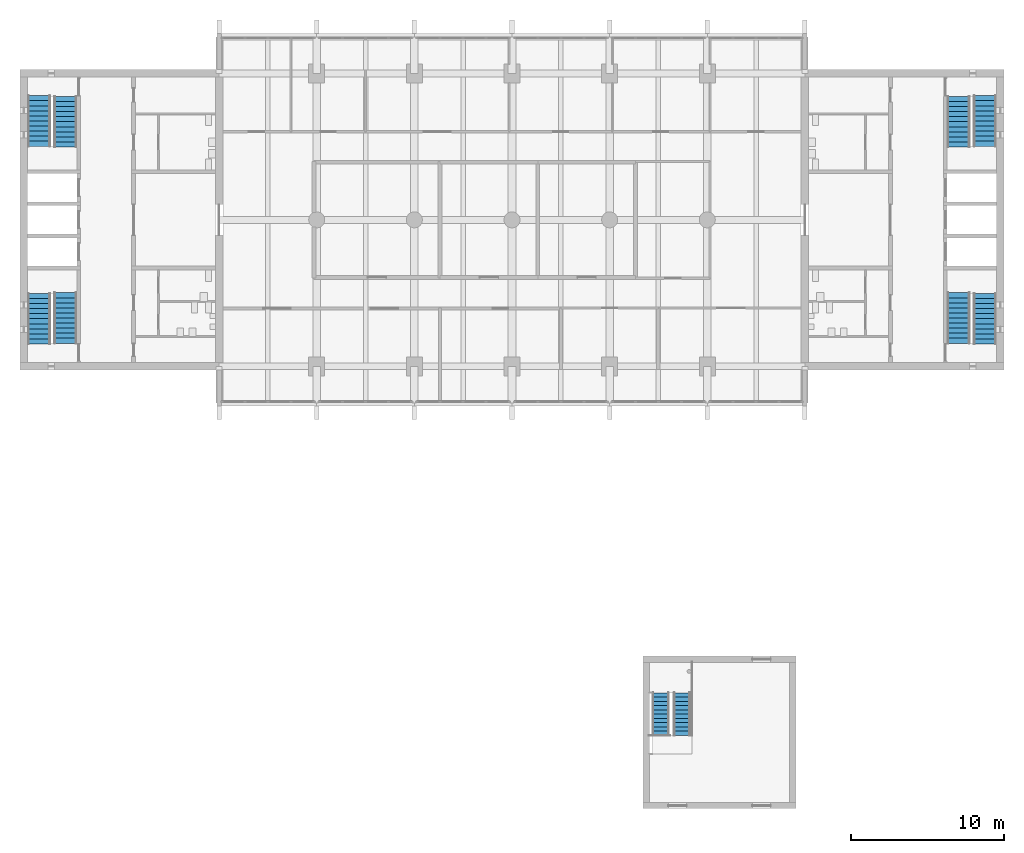
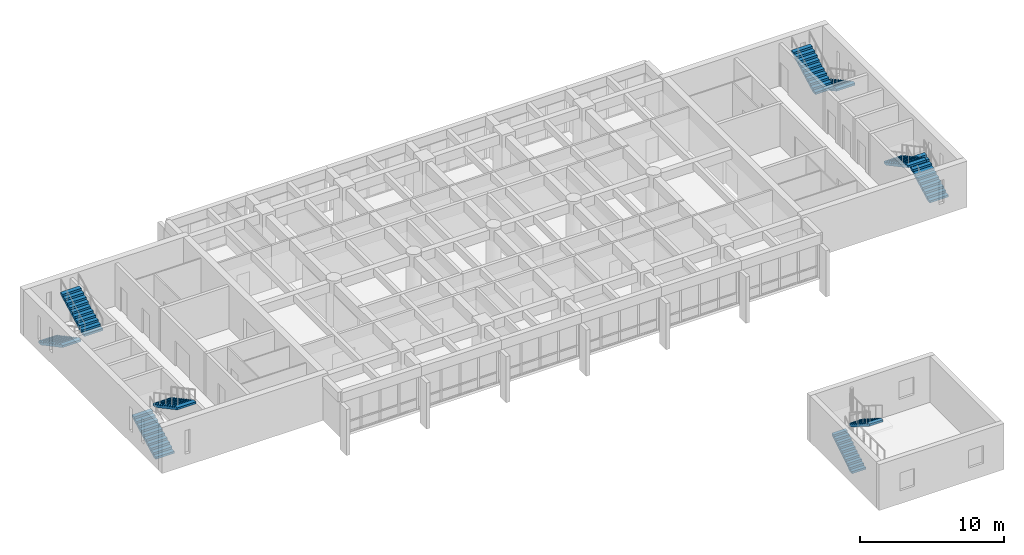
# One storey, part 15 of 19: 10 stair flights, 5 elements without a shape of their own.
"""IFC4 building model written with IfcOpenShell, lengths in metres."""

from ifc_helpers import new_model, si_unit, direction, frame, origin, place, context, subcontext, project, spatial, polyline, outline, extrude, material, type_object, element, aggregate, save


model = new_model("IFC4")

# Units and contexts
model_context = context("Model", 3, precision=1e-05, world=origin(), true_north=direction((0.0, 1.0)))
body_context = subcontext(model_context, "Body", "Model", "MODEL_VIEW")
ifc_project = project(units=[si_unit("LENGTHUNIT", "METRE"), si_unit("AREAUNIT", "SQUARE_METRE"), si_unit("VOLUMEUNIT", "CUBIC_METRE"), si_unit("PLANEANGLEUNIT", "RADIAN"), si_unit("MASSUNIT", "GRAM", prefix="KILO")], contexts=[model_context])

# Site, building, storey
site_placement = place(None, origin())
site = spatial("IfcSite", under=ifc_project, at=site_placement, CompositionType="ELEMENT")
building_placement = place(site_placement, origin())
building = spatial("IfcBuilding", under=site, at=building_placement, Name="Fogon Plaza Fire Station and Headquarters Tower", CompositionType="ELEMENT")
storey_placement = place(building_placement, frame((0.0, 0.0, 21.0)))
storey = spatial("IfcBuildingStorey", under=building, at=storey_placement, Name="L05", CompositionType="ELEMENT", Elevation=21.0)

# Stair, stair flights
ifc_material_1 = material(Name="Concrete C40", Category="concrete")
stair_type_1 = type_object("IfcStairType", Name="Drill Stair 1100", PredefinedType="HALF_TURN_STAIR", material=ifc_material_1)
stair_1_placement = place(storey_placement, origin())
stair_1 = element("IfcStair", 1, at=stair_1_placement, inside=storey, type_object=stair_type_1, Name="DT1", PredefinedType="HALF_TURN_STAIR")
ifc_material_2 = material(Name="Concrete C40", Category="concrete")
stair_flight_type_1 = type_object("IfcStairFlightType", Name="Drill Stair Flight 1100", PredefinedType="STRAIGHT", material=ifc_material_2)
stair_flight_1_placement = place(storey_placement, frame((54.550048828125, 9.39990234375, 0.0), z_axis=(0.0, 0.0, 1.0), x_axis=(0.0, 1.0, 0.0)))
stair_flight_1 = element("IfcStairFlight", 2, at=stair_flight_1_placement, type_object=stair_flight_type_1, Name="DT1 flight 1", NumberOfRisers=11, NumberOfTreads=10, PredefinedType="STRAIGHT", RiserHeight=0.177272727, TreadLength=0.28, context=body_context, shape_type="SweptSolid", body=[
    extrude(outline(polyline([(0.0, 0.0), (0.0, 0.17724609375), (0.280029296875, 0.17724609375), (0.280029296875, 0.3544921875), (0.56005859375, 0.3544921875), (0.56005859375, 0.53173828125), (0.840087890625, 0.53173828125), (0.840087890625, 0.708984375), (1.1201171875, 0.708984375), (1.1201171875, 0.886474609375), (1.39990234375, 0.886474609375), (1.39990234375, 1.063720703125), (1.679931640625, 1.063720703125), (1.679931640625, 1.240966796875), (1.9599609375, 1.240966796875), (1.9599609375, 1.418212890625), (2.239990234375, 1.418212890625), (2.239990234375, 1.595458984375), (2.52001953125, 1.595458984375), (2.52001953125, 1.772705078125), (2.800048828125, 1.772705078125), (2.800048828125, 1.949951171875), (2.800048828125, 1.59521484375), (0.2802734375, 0.0), (0.0, 0.0)])), frame((0.0, 0.550048828125, 0.0), z_axis=(0.0, -1.0, 0.0), x_axis=(1.0, 0.0, 0.0)), (0.0, 0.0, 1.0), 1.10009765625),
])
stair_flight_2_placement = place(storey_placement, frame((55.929931640625, 12.199951171875, 1.949951171875), z_axis=(0.0, 0.0, 1.0), x_axis=(0.0, -1.0, 0.0)))
stair_flight_2 = element("IfcStairFlight", 3, at=stair_flight_2_placement, type_object=stair_flight_type_1, Name="DT1 flight 2", NumberOfRisers=11, NumberOfTreads=10, PredefinedType="STRAIGHT", RiserHeight=0.177272727, TreadLength=0.28, context=body_context, shape_type="SweptSolid", body=[
    extrude(outline(polyline([(0.0, 0.0), (0.0, 0.17724609375), (0.280029296875, 0.17724609375), (0.280029296875, 0.3544921875), (0.56005859375, 0.3544921875), (0.56005859375, 0.53173828125), (0.840087890625, 0.53173828125), (0.840087890625, 0.708984375), (1.1201171875, 0.708984375), (1.1201171875, 0.886474609375), (1.39990234375, 0.886474609375), (1.39990234375, 1.063720703125), (1.679931640625, 1.063720703125), (1.679931640625, 1.240966796875), (1.9599609375, 1.240966796875), (1.9599609375, 1.418212890625), (2.239990234375, 1.418212890625), (2.239990234375, 1.595458984375), (2.52001953125, 1.595458984375), (2.52001953125, 1.772705078125), (2.800048828125, 1.772705078125), (2.800048828125, 1.949951171875), (2.800048828125, 1.59521484375), (0.2802734375, 0.0), (0.0, 0.0)])), frame((0.0, 0.550048828125, 0.0), z_axis=(0.0, -1.0, 0.0), x_axis=(1.0, 0.0, 0.0)), (0.0, 0.0, 1.0), 1.10009765625),
])
aggregate(stair_1, [stair_flight_1, stair_flight_2])

ifc_material_3 = material(Name="Concrete C40", Category="concrete")
stair_type_2 = type_object("IfcStairType", Name="Exit Stair Two Flights", PredefinedType="TWO_STRAIGHT_RUN_STAIR", material=ifc_material_3)
stair_2_placement = place(storey_placement, origin())
stair_2 = element("IfcStair", 4, at=stair_2_placement, inside=storey, type_object=stair_type_2, Name="Stair ST1", PredefinedType="TWO_STRAIGHT_RUN_STAIR")
ifc_material_4 = material(Name="Concrete C40", Category="concrete")
stair_flight_type_2 = type_object("IfcStairFlightType", Name="Stair Flight 11 Risers", PredefinedType="STRAIGHT", material=ifc_material_4)
stair_flight_3_placement = place(storey_placement, frame((13.800048828125, 35.060791015625, 0.0), z_axis=(0.0, 0.0, 1.0), x_axis=(0.0, 1.0, 0.0)))
stair_flight_3 = element("IfcStairFlight", 5, at=stair_flight_3_placement, type_object=stair_flight_type_2, Name="ST1 flight F13", NumberOfRisers=11, NumberOfTreads=10, PredefinedType="STRAIGHT", RiserHeight=0.177272727, TreadLength=0.3315, context=body_context, shape_type="SweptSolid", body=[
    extrude(outline(polyline([(0.0, 0.0), (0.0, 0.17724609375), (0.33154296875, 0.17724609375), (0.33154296875, 0.3544921875), (0.6630859375, 0.3544921875), (0.6630859375, 0.53173828125), (0.994384765625, 0.53173828125), (0.994384765625, 0.708984375), (1.325927734375, 0.708984375), (1.325927734375, 0.886474609375), (1.657470703125, 0.886474609375), (1.657470703125, 1.063720703125), (1.989013671875, 1.063720703125), (1.989013671875, 1.240966796875), (2.320556640625, 1.240966796875), (2.320556640625, 1.418212890625), (2.652099609375, 1.418212890625), (2.652099609375, 1.595458984375), (2.9833984375, 1.595458984375), (2.9833984375, 1.772705078125), (3.31494140625, 1.772705078125), (3.31494140625, 1.949951171875), (3.31494140625, 1.602783203125), (0.31787109375, 0.0), (0.0, 0.0)])), frame((0.0, 0.75, 0.0), z_axis=(0.0, -1.0, 0.0), x_axis=(1.0, 0.0, 0.0)), (0.0, 0.0, 1.0), 1.5),
])
stair_flight_4_placement = place(storey_placement, frame((15.52490234375, 38.42431640625, 1.949951171875), z_axis=(0.0, 0.0, 1.0), x_axis=(0.0, -1.0, 0.0)))
stair_flight_4 = element("IfcStairFlight", 6, at=stair_flight_4_placement, type_object=stair_flight_type_2, Name="ST1 flight F14", NumberOfRisers=11, NumberOfTreads=10, PredefinedType="STRAIGHT", RiserHeight=0.177272727, TreadLength=0.3315, context=body_context, shape_type="SweptSolid", body=[
    extrude(outline(polyline([(0.0, 0.0), (0.0, 0.17724609375), (0.33154296875, 0.17724609375), (0.33154296875, 0.3544921875), (0.6630859375, 0.3544921875), (0.6630859375, 0.53173828125), (0.994384765625, 0.53173828125), (0.994384765625, 0.708984375), (1.325927734375, 0.708984375), (1.325927734375, 0.886474609375), (1.657470703125, 0.886474609375), (1.657470703125, 1.063720703125), (1.989013671875, 1.063720703125), (1.989013671875, 1.240966796875), (2.320556640625, 1.240966796875), (2.320556640625, 1.418212890625), (2.652099609375, 1.418212890625), (2.652099609375, 1.595458984375), (2.9833984375, 1.595458984375), (2.9833984375, 1.772705078125), (3.31494140625, 1.772705078125), (3.31494140625, 1.949951171875), (3.31494140625, 1.602783203125), (0.31787109375, 0.0), (0.0, 0.0)])), frame((0.0, 0.75, 0.0), z_axis=(0.0, -1.0, 0.0), x_axis=(1.0, 0.0, 0.0)), (0.0, 0.0, 1.0), 1.5),
])
aggregate(stair_2, [stair_flight_3, stair_flight_4])

stair_3_placement = place(storey_placement, origin())
stair_3 = element("IfcStair", 7, at=stair_3_placement, inside=storey, type_object=stair_type_2, Name="Stair ST2", PredefinedType="TWO_STRAIGHT_RUN_STAIR")
stair_flight_5_placement = place(storey_placement, frame((13.800048828125, 51.33935546875, 0.0), z_axis=(0.0, 0.0, 1.0), x_axis=(0.0, -1.0, 0.0)))
stair_flight_5 = element("IfcStairFlight", 8, at=stair_flight_5_placement, type_object=stair_flight_type_2, Name="ST2 flight F13", NumberOfRisers=11, NumberOfTreads=10, PredefinedType="STRAIGHT", RiserHeight=0.177272727, TreadLength=0.3315, context=body_context, shape_type="SweptSolid", body=[
    extrude(outline(polyline([(0.0, 0.0), (0.0, 0.17724609375), (0.33154296875, 0.17724609375), (0.33154296875, 0.3544921875), (0.6630859375, 0.3544921875), (0.6630859375, 0.53173828125), (0.994384765625, 0.53173828125), (0.994384765625, 0.708984375), (1.325927734375, 0.708984375), (1.325927734375, 0.886474609375), (1.657470703125, 0.886474609375), (1.657470703125, 1.063720703125), (1.989013671875, 1.063720703125), (1.989013671875, 1.240966796875), (2.320556640625, 1.240966796875), (2.320556640625, 1.418212890625), (2.652099609375, 1.418212890625), (2.652099609375, 1.595458984375), (2.9833984375, 1.595458984375), (2.9833984375, 1.772705078125), (3.31494140625, 1.772705078125), (3.31494140625, 1.949951171875), (3.31494140625, 1.602783203125), (0.31787109375, 0.0), (0.0, 0.0)])), frame((0.0, 0.75, 0.0), z_axis=(0.0, -1.0, 0.0), x_axis=(1.0, 0.0, 0.0)), (0.0, 0.0, 1.0), 1.5),
])
stair_flight_6_placement = place(storey_placement, frame((15.52490234375, 47.975830078125, 1.949951171875), z_axis=(0.0, 0.0, 1.0), x_axis=(0.0, 1.0, 0.0)))
stair_flight_6 = element("IfcStairFlight", 9, at=stair_flight_6_placement, type_object=stair_flight_type_2, Name="ST2 flight F14", NumberOfRisers=11, NumberOfTreads=10, PredefinedType="STRAIGHT", RiserHeight=0.177272727, TreadLength=0.3315, context=body_context, shape_type="SweptSolid", body=[
    extrude(outline(polyline([(0.0, 0.0), (0.0, 0.17724609375), (0.33154296875, 0.17724609375), (0.33154296875, 0.3544921875), (0.6630859375, 0.3544921875), (0.6630859375, 0.53173828125), (0.994384765625, 0.53173828125), (0.994384765625, 0.708984375), (1.325927734375, 0.708984375), (1.325927734375, 0.886474609375), (1.657470703125, 0.886474609375), (1.657470703125, 1.063720703125), (1.989013671875, 1.063720703125), (1.989013671875, 1.240966796875), (2.320556640625, 1.240966796875), (2.320556640625, 1.418212890625), (2.652099609375, 1.418212890625), (2.652099609375, 1.595458984375), (2.9833984375, 1.595458984375), (2.9833984375, 1.772705078125), (3.31494140625, 1.772705078125), (3.31494140625, 1.949951171875), (3.31494140625, 1.602783203125), (0.31787109375, 0.0), (0.0, 0.0)])), frame((0.0, 0.75, 0.0), z_axis=(0.0, -1.0, 0.0), x_axis=(1.0, 0.0, 0.0)), (0.0, 0.0, 1.0), 1.5),
])
aggregate(stair_3, [stair_flight_5, stair_flight_6])

stair_4_placement = place(storey_placement, origin())
stair_4 = element("IfcStair", 10, at=stair_4_placement, inside=storey, type_object=stair_type_2, Name="Stair ST3", PredefinedType="TWO_STRAIGHT_RUN_STAIR")
stair_flight_7_placement = place(storey_placement, frame((75.800048828125, 35.060791015625, 0.0), z_axis=(0.0, 0.0, 1.0), x_axis=(0.0, 1.0, 0.0)))
stair_flight_7 = element("IfcStairFlight", 11, at=stair_flight_7_placement, type_object=stair_flight_type_2, Name="ST3 flight F13", NumberOfRisers=11, NumberOfTreads=10, PredefinedType="STRAIGHT", RiserHeight=0.177272727, TreadLength=0.3315, context=body_context, shape_type="SweptSolid", body=[
    extrude(outline(polyline([(0.0, 0.0), (0.0, 0.17724609375), (0.33154296875, 0.17724609375), (0.33154296875, 0.3544921875), (0.6630859375, 0.3544921875), (0.6630859375, 0.53173828125), (0.994384765625, 0.53173828125), (0.994384765625, 0.708984375), (1.325927734375, 0.708984375), (1.325927734375, 0.886474609375), (1.657470703125, 0.886474609375), (1.657470703125, 1.063720703125), (1.989013671875, 1.063720703125), (1.989013671875, 1.240966796875), (2.320556640625, 1.240966796875), (2.320556640625, 1.418212890625), (2.652099609375, 1.418212890625), (2.652099609375, 1.595458984375), (2.9833984375, 1.595458984375), (2.9833984375, 1.772705078125), (3.31494140625, 1.772705078125), (3.31494140625, 1.949951171875), (3.31494140625, 1.602783203125), (0.31787109375, 0.0), (0.0, 0.0)])), frame((0.0, 0.75, 0.0), z_axis=(0.0, -1.0, 0.0), x_axis=(1.0, 0.0, 0.0)), (0.0, 0.0, 1.0), 1.5),
])
stair_flight_8_placement = place(storey_placement, frame((74.074951171875, 38.42431640625, 1.949951171875), z_axis=(0.0, 0.0, 1.0), x_axis=(0.0, -1.0, 0.0)))
stair_flight_8 = element("IfcStairFlight", 12, at=stair_flight_8_placement, type_object=stair_flight_type_2, Name="ST3 flight F14", NumberOfRisers=11, NumberOfTreads=10, PredefinedType="STRAIGHT", RiserHeight=0.177272727, TreadLength=0.3315, context=body_context, shape_type="SweptSolid", body=[
    extrude(outline(polyline([(0.0, 0.0), (0.0, 0.17724609375), (0.33154296875, 0.17724609375), (0.33154296875, 0.3544921875), (0.6630859375, 0.3544921875), (0.6630859375, 0.53173828125), (0.994384765625, 0.53173828125), (0.994384765625, 0.708984375), (1.325927734375, 0.708984375), (1.325927734375, 0.886474609375), (1.657470703125, 0.886474609375), (1.657470703125, 1.063720703125), (1.989013671875, 1.063720703125), (1.989013671875, 1.240966796875), (2.320556640625, 1.240966796875), (2.320556640625, 1.418212890625), (2.652099609375, 1.418212890625), (2.652099609375, 1.595458984375), (2.9833984375, 1.595458984375), (2.9833984375, 1.772705078125), (3.31494140625, 1.772705078125), (3.31494140625, 1.949951171875), (3.31494140625, 1.602783203125), (0.31787109375, 0.0), (0.0, 0.0)])), frame((0.0, 0.75, 0.0), z_axis=(0.0, -1.0, 0.0), x_axis=(1.0, 0.0, 0.0)), (0.0, 0.0, 1.0), 1.5),
])
aggregate(stair_4, [stair_flight_7, stair_flight_8])

stair_5_placement = place(storey_placement, origin())
stair_5 = element("IfcStair", 13, at=stair_5_placement, inside=storey, type_object=stair_type_2, Name="Stair ST4", PredefinedType="TWO_STRAIGHT_RUN_STAIR")
stair_flight_9_placement = place(storey_placement, frame((75.800048828125, 51.33935546875, 0.0), z_axis=(0.0, 0.0, 1.0), x_axis=(0.0, -1.0, 0.0)))
stair_flight_9 = element("IfcStairFlight", 14, at=stair_flight_9_placement, type_object=stair_flight_type_2, Name="ST4 flight F13", NumberOfRisers=11, NumberOfTreads=10, PredefinedType="STRAIGHT", RiserHeight=0.177272727, TreadLength=0.3315, context=body_context, shape_type="SweptSolid", body=[
    extrude(outline(polyline([(0.0, 0.0), (0.0, 0.17724609375), (0.33154296875, 0.17724609375), (0.33154296875, 0.3544921875), (0.6630859375, 0.3544921875), (0.6630859375, 0.53173828125), (0.994384765625, 0.53173828125), (0.994384765625, 0.708984375), (1.325927734375, 0.708984375), (1.325927734375, 0.886474609375), (1.657470703125, 0.886474609375), (1.657470703125, 1.063720703125), (1.989013671875, 1.063720703125), (1.989013671875, 1.240966796875), (2.320556640625, 1.240966796875), (2.320556640625, 1.418212890625), (2.652099609375, 1.418212890625), (2.652099609375, 1.595458984375), (2.9833984375, 1.595458984375), (2.9833984375, 1.772705078125), (3.31494140625, 1.772705078125), (3.31494140625, 1.949951171875), (3.31494140625, 1.602783203125), (0.31787109375, 0.0), (0.0, 0.0)])), frame((0.0, 0.75, 0.0), z_axis=(0.0, -1.0, 0.0), x_axis=(1.0, 0.0, 0.0)), (0.0, 0.0, 1.0), 1.5),
])
stair_flight_10_placement = place(storey_placement, frame((74.074951171875, 47.975830078125, 1.949951171875), z_axis=(0.0, 0.0, 1.0), x_axis=(0.0, 1.0, 0.0)))
stair_flight_10 = element("IfcStairFlight", 15, at=stair_flight_10_placement, type_object=stair_flight_type_2, Name="ST4 flight F14", NumberOfRisers=11, NumberOfTreads=10, PredefinedType="STRAIGHT", RiserHeight=0.177272727, TreadLength=0.3315, context=body_context, shape_type="SweptSolid", body=[
    extrude(outline(polyline([(0.0, 0.0), (0.0, 0.17724609375), (0.33154296875, 0.17724609375), (0.33154296875, 0.3544921875), (0.6630859375, 0.3544921875), (0.6630859375, 0.53173828125), (0.994384765625, 0.53173828125), (0.994384765625, 0.708984375), (1.325927734375, 0.708984375), (1.325927734375, 0.886474609375), (1.657470703125, 0.886474609375), (1.657470703125, 1.063720703125), (1.989013671875, 1.063720703125), (1.989013671875, 1.240966796875), (2.320556640625, 1.240966796875), (2.320556640625, 1.418212890625), (2.652099609375, 1.418212890625), (2.652099609375, 1.595458984375), (2.9833984375, 1.595458984375), (2.9833984375, 1.772705078125), (3.31494140625, 1.772705078125), (3.31494140625, 1.949951171875), (3.31494140625, 1.602783203125), (0.31787109375, 0.0), (0.0, 0.0)])), frame((0.0, 0.75, 0.0), z_axis=(0.0, -1.0, 0.0), x_axis=(1.0, 0.0, 0.0)), (0.0, 0.0, 1.0), 1.5),
])
aggregate(stair_5, [stair_flight_9, stair_flight_10])

save(model, "model.ifc")
